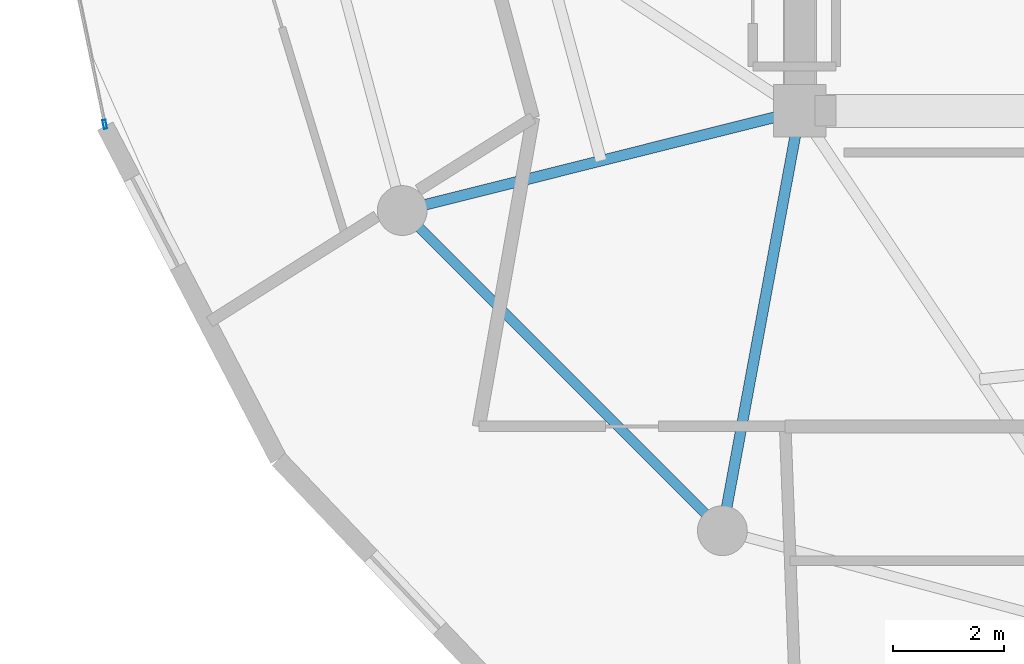
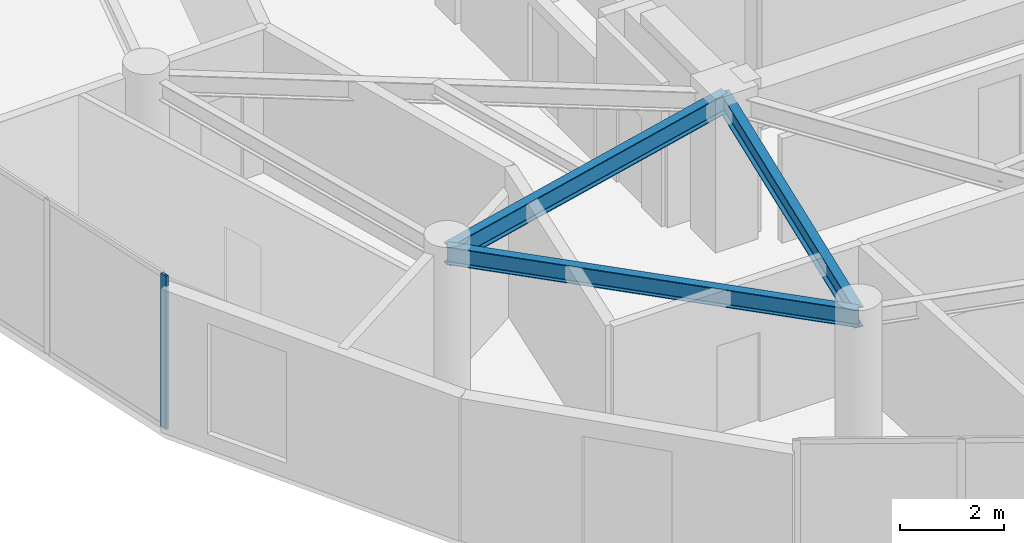
# One storey, part 3 of 21: 3 beams, 1 member, 1 element without a shape of its own.
"""IFC4 building model written with IfcOpenShell, lengths in metres."""

from ifc_helpers import new_model, si_unit, direction, frame, origin, origin_2d, place, context, subcontext, project, spatial, hollow_rectangle, i_section, extrude, source, transform, mapped, material, layer, layer_set, material_profile, profile_set, type_object, element, aggregate, save


model = new_model("IFC4")

# Units and contexts
model_context = context("Model", 3, precision=1e-05, world=origin(), true_north=direction((0.0, 1.0)))
body_context = subcontext(model_context, "Body", "Model", "MODEL_VIEW")
ifc_project = project(units=[si_unit("LENGTHUNIT", "METRE"), si_unit("AREAUNIT", "SQUARE_METRE"), si_unit("VOLUMEUNIT", "CUBIC_METRE"), si_unit("PLANEANGLEUNIT", "RADIAN"), si_unit("MASSUNIT", "GRAM", prefix="KILO")], contexts=[model_context])

# Site, building, storey
site_placement = place(None, origin())
site = spatial("IfcSite", under=ifc_project, at=site_placement, CompositionType="ELEMENT")
building_placement = place(site_placement, origin())
building = spatial("IfcBuilding", under=site, at=building_placement, Name="Solvirekh Grand Hotel", CompositionType="ELEMENT")
storey_placement = place(building_placement, frame((0.0, 0.0, 220.0)))
storey = spatial("IfcBuildingStorey", under=building, at=storey_placement, Name="L57", CompositionType="ELEMENT", Elevation=220.0)

# Beams
ifc_material_1 = material(Name="Steel S355", Category="steel")
ifc_material_profile_1 = material_profile(ifc_material_1, i_section(OverallWidth=0.194091796875, OverallDepth=0.468994140625, WebThickness=0.010986328125, FlangeThickness=0.01904296875, FilletRadius=0.012939453125, at=origin_2d()), Name="W460X106")
ifc_profile_set_1 = profile_set([ifc_material_profile_1], Name="Steel S355")
beam_type_1 = type_object("IfcBeamType", Name="Beam_Radial_W460H", PredefinedType="BEAM", material=ifc_profile_set_1)
beam_1_placement = place(storey_placement, frame((-6.5, -6.10009765625, 3.1259765625), z_axis=(-0.970014367692, -0.243047580675, 0.0), x_axis=(0.243047580675, -0.970014367692, 0.0)))
element("IfcBeam", 1, at=beam_1_placement, inside=storey, type_object=beam_type_1, Name="L57 radial floor beam R08", PredefinedType="BEAM", context=body_context, shape_type="SweptSolid", body=[
    extrude(i_section(OverallWidth=0.194091796875, OverallDepth=0.468994140625, WebThickness=0.010986328125, FlangeThickness=0.01904296875, FilletRadius=0.012939453125, at=origin_2d()), origin(), (0.0, 0.0, 1.0), 7.4052734375),
])
beam_2_placement = place(storey_placement, frame((-6.5, -6.10009765625, 3.1259765625), z_axis=(-0.181542769111, -0.983383049978, 0.0), x_axis=(0.983383049978, -0.181542769111, 0.0)))
element("IfcBeam", 2, at=beam_2_placement, inside=storey, type_object=beam_type_1, Name="L57 radial floor beam R09", PredefinedType="BEAM", context=body_context, shape_type="SweptSolid", body=[
    extrude(i_section(OverallWidth=0.194091796875, OverallDepth=0.468994140625, WebThickness=0.010986328125, FlangeThickness=0.01904296875, FilletRadius=0.012939453125, at=origin_2d()), origin(), (0.0, 0.0, 1.0), 7.711181640625),
])
ifc_material_profile_2 = material_profile(ifc_material_1, i_section(OverallWidth=0.180908203125, OverallDepth=0.4169921875, WebThickness=0.010009765625, FlangeThickness=0.01611328125, FilletRadius=0.011962890625, at=origin_2d()), Name="W410X85")
ifc_profile_set_2 = profile_set([ifc_material_profile_2], Name="Steel S355")
beam_type_2 = type_object("IfcBeamType", Name="Spandrel_Ring_W410", PredefinedType="SPANDREL", material=ifc_profile_set_2)
beam_3_placement = place(storey_placement, frame((-13.68310546875, -7.89990234375, 3.152099609375), z_axis=(0.707106781187, -0.707106781187, 0.0), x_axis=(0.707106781187, 0.707106781187, 0.0)))
element("IfcBeam", 3, at=beam_3_placement, inside=storey, type_object=beam_type_2, Name="L57 perimeter spandrel beam 8", PredefinedType="SPANDREL", context=body_context, shape_type="SweptSolid", body=[
    extrude(i_section(OverallWidth=0.180908203125, OverallDepth=0.4169921875, WebThickness=0.010009765625, FlangeThickness=0.01611328125, FilletRadius=0.011962890625, at=origin_2d()), origin(), (0.0, 0.0, 1.0), 8.1787109375),
])

# Curtain wall, member
ifc_material_2 = material(Name="Anodized Bronze Aluminium 6063-T6", Category="aluminium")
ifc_layer = layer(ifc_material_2, 0.159912109375)
ifc_layer_set = layer_set([ifc_layer], Name="Anodized Bronze Aluminium 6063-T6")
curtain_wall_type = type_object("IfcCurtainWallType", Name="CW_Sys4_HighZoneFlushBronzeCW", PredefinedType="NOTDEFINED", material=ifc_layer_set)
curtain_wall_placement = place(storey_placement, origin())
curtain_wall = element("IfcCurtainWall", 4, at=curtain_wall_placement, inside=storey, type_object=curtain_wall_type, Name="L57 unitised bronze-glass curtain wall CW-L57-C15", PredefinedType="NOTDEFINED")
ifc_material_profile_3 = material_profile(ifc_material_2, hollow_rectangle(XDim=0.06005859375, YDim=0.159912109375, WallThickness=0.0048828125, at=origin_2d()), Name="ALU RHS 160X60X5")
ifc_profile_set_3 = profile_set([ifc_material_profile_3], Name="Anodized Bronze Aluminium 6063-T6")
member_type = type_object("IfcMemberType", Name="CWMullion_Sys4", PredefinedType="MULLION", material=ifc_profile_set_3)
shared_shape = source(origin(), body_context, "Body", "SweptSolid", [
    extrude(hollow_rectangle(XDim=0.06005859375, YDim=0.159912109375, WallThickness=0.0048828125, at=origin_2d()), origin(), (0.0, 0.0, 1.0), 3.60009765625),
])
member_placement = place(storey_placement, frame((-19.05517578125, -6.3447265625, 0.0), z_axis=(0.0, 0.0, 1.0), x_axis=(0.979132177626, 0.203224454082, 0.0)))
member = element("IfcMember", 5, at=member_placement, type_object=member_type, Name="U04 mullion 3", PredefinedType="MULLION", context=body_context, shape_type="MappedRepresentation", body=[
    mapped(shared_shape, transform((0.0, 0.0, 0.0), x_axis=(1.0, 0.0, 0.0), y_axis=(0.0, 1.0, 0.0), z_axis=(0.0, 0.0, 1.0), scale=1.0)),
])
aggregate(curtain_wall, [member])

save(model, "model.ifc")
